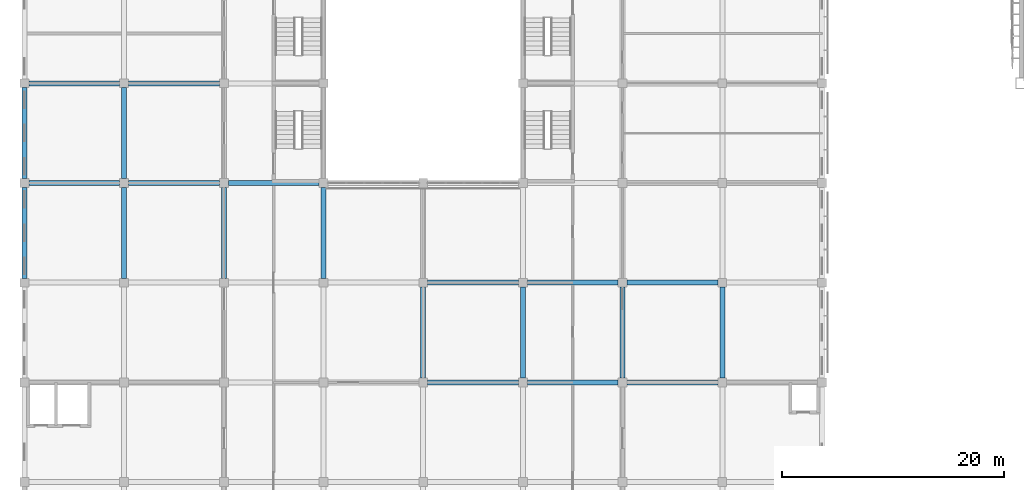
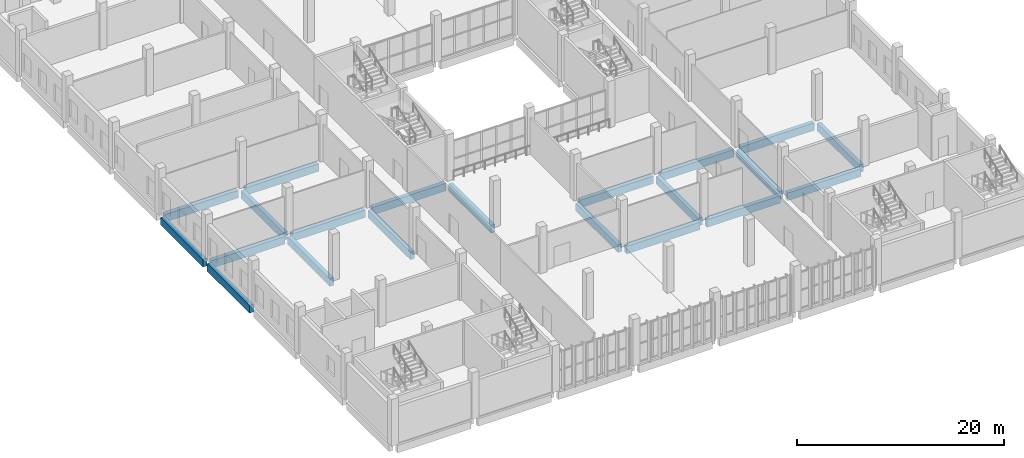
# One storey, part 19 of 185: 21 beams.
"""IFC4 building model written with IfcOpenShell, lengths in metres."""

from ifc_helpers import new_model, si_unit, direction, frame, origin, origin_2d, place, context, subcontext, project, spatial, rectangle, extrude, material, material_profile, profile_set, type_object, element, save


model = new_model("IFC4")

# Units and contexts
model_context = context("Model", 3, precision=1e-05, world=origin(), true_north=direction((0.0, 1.0)))
body_context = subcontext(model_context, "Body", "Model", "MODEL_VIEW")
ifc_project = project(units=[si_unit("LENGTHUNIT", "METRE"), si_unit("AREAUNIT", "SQUARE_METRE"), si_unit("VOLUMEUNIT", "CUBIC_METRE"), si_unit("PLANEANGLEUNIT", "RADIAN"), si_unit("MASSUNIT", "GRAM", prefix="KILO")], contexts=[model_context])

# Site, building, storey
site_placement = place(None, origin())
site = spatial("IfcSite", under=ifc_project, at=site_placement, CompositionType="ELEMENT")
building_placement = place(site_placement, origin())
building = spatial("IfcBuilding", under=site, at=building_placement, Name="Opaline Strait Convention Centre", CompositionType="ELEMENT")
storey_placement = place(building_placement, frame((0.0, 0.0, 6.0)))
storey = spatial("IfcBuildingStorey", under=building, at=storey_placement, Name="L01", CompositionType="ELEMENT", Elevation=6.0)

# Beams
ifc_material = material(Name="Concrete C35", Category="concrete")
ifc_material_profile = material_profile(ifc_material, rectangle(XDim=0.449951171875, YDim=0.89990234375, at=origin_2d()), Name="RC 450x900")
ifc_profile_set = profile_set([ifc_material_profile], Name="Concrete C35")
beam_type = type_object("IfcBeamType", Name="RC beam 450x900 C35", PredefinedType="BEAM", material=ifc_profile_set)
for number, where, z_axis, x_axis, name in (
    (1, (45.39990234375, 27.0, -0.72998046875), (1.0, 0.0, 0.0), (0.0, 1.0, 0.0), "XB1 L01 45/27-54/27"),
    (2, (54.39990234375, 27.0, -0.72998046875), (1.0, 0.0, 0.0), (0.0, 1.0, 0.0), "XB1 L01 54/27-63/27"),
    (3, (63.39990234375, 27.0, -0.72998046875), (1.0, 0.0, 0.0), (0.0, 1.0, 0.0), "XB1 L01 63/27-72/27"),
    (4, (45.39990234375, 36.0, -0.72998046875), (1.0, 0.0, 0.0), (0.0, 1.0, 0.0), "XB1 L01 45/36-54/36"),
    (5, (54.39990234375, 36.0, -0.72998046875), (1.0, 0.0, 0.0), (0.0, 1.0, 0.0), "XB1 L01 54/36-63/36"),
    (6, (63.39990234375, 36.0, -0.72998046875), (1.0, 0.0, 0.0), (0.0, 1.0, 0.0), "XB1 L01 63/36-72/36"),
    (7, (9.39990234375, 45.0, -0.72998046875), (1.0, 0.0, 0.0), (0.0, 1.0, 0.0), "XB1 L01 9/45-18/45"),
    (8, (18.39990234375, 45.0, -0.72998046875), (1.0, 0.0, 0.0), (0.0, 1.0, 0.0), "XB1 L01 18/45-27/45"),
    (9, (27.39990234375, 45.0, -0.72998046875), (1.0, 0.0, 0.0), (0.0, 1.0, 0.0), "XB1 L01 27/45-36/45"),
    (10, (9.39990234375, 54.0, -0.72998046875), (1.0, 0.0, 0.0), (0.0, 1.0, 0.0), "XB1 L01 9/54-18/54"),
    (11, (18.39990234375, 54.0, -0.72998046875), (1.0, 0.0, 0.0), (0.0, 1.0, 0.0), "XB1 L01 18/54-27/54"),
    (12, (9.0, 36.39990234375, -0.72998046875), (0.0, 1.0, 0.0), (-1.0, 0.0, 0.0), "XB1 L01 9/36-9/45"),
    (13, (9.0, 45.39990234375, -0.72998046875), (0.0, 1.0, 0.0), (-1.0, 0.0, 0.0), "XB1 L01 9/45-9/54"),
    (14, (18.0, 36.39990234375, -0.72998046875), (0.0, 1.0, 0.0), (-1.0, 0.0, 0.0), "XB1 L01 18/36-18/45"),
    (15, (18.0, 45.39990234375, -0.72998046875), (0.0, 1.0, 0.0), (-1.0, 0.0, 0.0), "XB1 L01 18/45-18/54"),
    (16, (27.0, 36.39990234375, -0.72998046875), (0.0, 1.0, 0.0), (-1.0, 0.0, 0.0), "XB1 L01 27/36-27/45"),
    (17, (36.0, 36.39990234375, -0.72998046875), (0.0, 1.0, 0.0), (-1.0, 0.0, 0.0), "XB1 L01 36/36-36/45"),
    (18, (45.0, 27.39990234375, -0.72998046875), (0.0, 1.0, 0.0), (-1.0, 0.0, 0.0), "XB1 L01 45/27-45/36"),
    (19, (54.0, 27.39990234375, -0.72998046875), (0.0, 1.0, 0.0), (-1.0, 0.0, 0.0), "XB1 L01 54/27-54/36"),
    (20, (63.0, 27.39990234375, -0.72998046875), (0.0, 1.0, 0.0), (-1.0, 0.0, 0.0), "XB1 L01 63/27-63/36"),
    (21, (72.0, 27.39990234375, -0.72998046875), (0.0, 1.0, 0.0), (-1.0, 0.0, 0.0), "XB1 L01 72/27-72/36"),
):
    element("IfcBeam", number, at=place(storey_placement, frame(where, z_axis=z_axis, x_axis=x_axis)), inside=storey, type_object=beam_type, Name=name, PredefinedType="BEAM", context=body_context, shape_type="SweptSolid", body=[
        extrude(rectangle(XDim=0.449951171875, YDim=0.89990234375, at=origin_2d()), origin(), (0.0, 0.0, 1.0), 8.2001953125),
    ])

save(model, "model.ifc")
